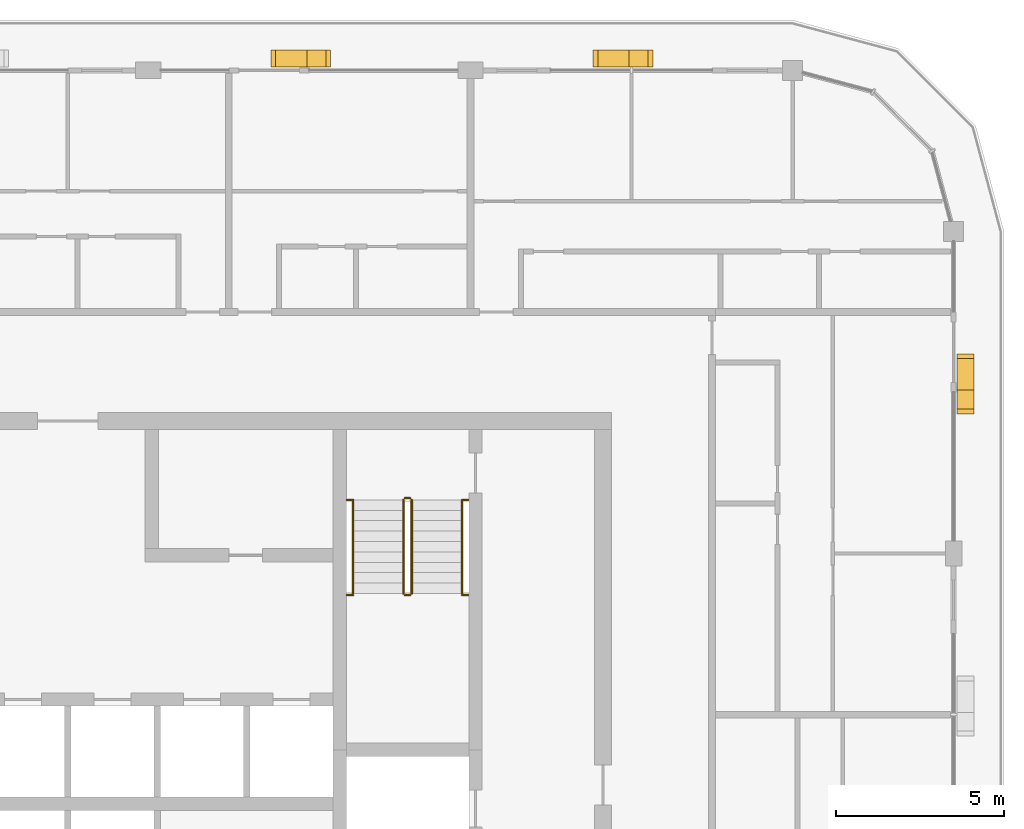
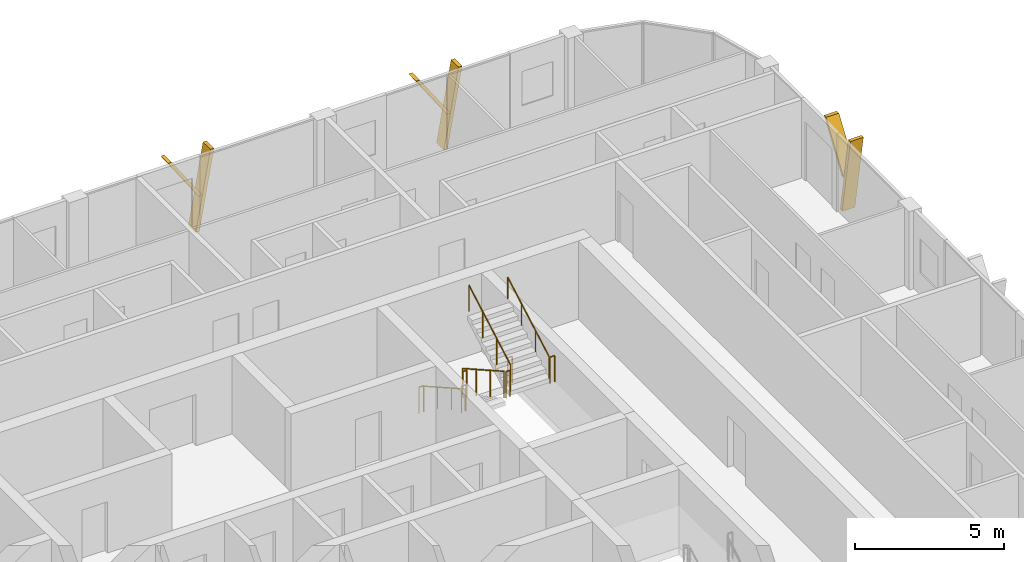
# One storey, part 21 of 21: 10 railings, 6 shading devices.
"""IFC4 building model written with IfcOpenShell, lengths in metres."""

from ifc_helpers import new_model, si_unit, direction, frame, origin, origin_2d, place, context, subcontext, project, spatial, polyline, circle, outline, extrude, material, type_object, element, save


model = new_model("IFC4")

# Units and contexts
model_context = context("Model", 3, precision=1e-05, world=origin(), true_north=direction((0.0, 1.0)))
body_context = subcontext(model_context, "Body", "Model", "MODEL_VIEW")
ifc_project = project(units=[si_unit("LENGTHUNIT", "METRE"), si_unit("AREAUNIT", "SQUARE_METRE"), si_unit("VOLUMEUNIT", "CUBIC_METRE"), si_unit("PLANEANGLEUNIT", "RADIAN"), si_unit("MASSUNIT", "GRAM", prefix="KILO")], contexts=[model_context])

# Site, building, storey
site_placement = place(None, origin())
site = spatial("IfcSite", under=ifc_project, at=site_placement, CompositionType="ELEMENT")
building_placement = place(site_placement, origin())
building = spatial("IfcBuilding", under=site, at=building_placement, Name="Madar Terraces", CompositionType="ELEMENT")
storey_placement = place(building_placement, frame((0.0, 0.0, 275.60009765625)))
storey = spatial("IfcBuildingStorey", under=building, at=storey_placement, Name="L72", CompositionType="ELEMENT", Elevation=275.60009765625)

# Shading devices
ifc_material_1 = material(Name="Aluminium, black anodised", Category="aluminium")
shading_device_type = type_object("IfcShadingDeviceType", Name="Facade fin blade 140 x 500", PredefinedType="USERDEFINED", material=ifc_material_1)
shading_device_1_placement = place(storey_placement, frame((57.949951171875, 38.330078125, 0.0), z_axis=(0.0, 0.0, 1.0), x_axis=(0.0, 1.0, 0.0)))
element("IfcShadingDevice", 1, at=shading_device_1_placement, inside=storey, type_object=shading_device_type, Name="FIN L72 E4", ObjectType="FIN", PredefinedType="USERDEFINED", context=body_context, shape_type="SweptSolid", body=[
    extrude(outline(polyline([(0.0, 0.0), (0.139892578125, 0.0), (-0.42431640625, 3.199951171875), (-0.564208984375, 3.199951171875), (0.0, 0.0)])), frame((0.0, 0.25, 0.0), z_axis=(0.0, -1.0, 0.0), x_axis=(1.0, 0.0, 0.0)), (0.0, 0.0, 1.0), 0.5),
])
shading_device_2_placement = place(storey_placement, frame((57.949951171875, 38.216064453125, 1.43994140625), z_axis=(0.0, 0.0, 1.0), x_axis=(0.0, 1.0, 0.0)))
element("IfcShadingDevice", 2, at=shading_device_2_placement, inside=storey, type_object=shading_device_type, Name="FIN L72 E4 branch", ObjectType="FIN", PredefinedType="USERDEFINED", context=body_context, shape_type="SweptSolid", body=[
    extrude(outline(polyline([(0.0, 0.0), (0.14013671875, 0.0), (1.32958984375, 1.760009765625), (1.189697265625, 1.760009765625), (0.0, 0.0)])), frame((0.0, 0.25, 0.0), z_axis=(0.0, -1.0, 0.0), x_axis=(1.0, 0.0, 0.0)), (0.0, 0.0, 1.0), 0.5),
])
shading_device_3_placement = place(storey_placement, frame((48.070068359375, 48.35009765625, 0.0), z_axis=(0.0, 0.0, 1.0), x_axis=(-1.0, 0.0, 0.0)))
element("IfcShadingDevice", 3, at=shading_device_3_placement, inside=storey, type_object=shading_device_type, Name="FIN L72 N1", ObjectType="FIN", PredefinedType="USERDEFINED", context=body_context, shape_type="SweptSolid", body=[
    extrude(outline(polyline([(0.0, 0.0), (0.14013671875, 0.0), (-0.42431640625, 3.199951171875), (-0.564208984375, 3.199951171875), (0.0, 0.0)])), frame((0.0, 0.25, 0.0), z_axis=(0.0, -1.0, 0.0), x_axis=(1.0, 0.0, 0.0)), (0.0, 0.0, 1.0), 0.5),
])
shading_device_4_placement = place(storey_placement, frame((48.183837890625, 48.35009765625, 1.43994140625), z_axis=(0.0, 0.0, 1.0), x_axis=(-1.0, 0.0, 0.0)))
element("IfcShadingDevice", 4, at=shading_device_4_placement, inside=storey, type_object=shading_device_type, Name="FIN L72 N1 branch", ObjectType="FIN", PredefinedType="USERDEFINED", context=body_context, shape_type="SweptSolid", body=[
    extrude(outline(polyline([(0.0, 0.0), (0.139892578125, 0.0), (1.32958984375, 1.760009765625), (1.189697265625, 1.760009765625), (0.0, 0.0)])), frame((0.0, 0.25, 0.0), z_axis=(0.0, -1.0, 0.0), x_axis=(1.0, 0.0, 0.0)), (0.0, 0.0, 1.0), 0.5),
])
shading_device_5_placement = place(storey_placement, frame((38.469970703125, 48.35009765625, 0.0), z_axis=(0.0, 0.0, 1.0), x_axis=(-1.0, 0.0, 0.0)))
element("IfcShadingDevice", 5, at=shading_device_5_placement, inside=storey, type_object=shading_device_type, Name="FIN L72 N2", ObjectType="FIN", PredefinedType="USERDEFINED", context=body_context, shape_type="SweptSolid", body=[
    extrude(outline(polyline([(0.0, 0.0), (0.139892578125, 0.0), (-0.42431640625, 3.199951171875), (-0.564208984375, 3.199951171875), (0.0, 0.0)])), frame((0.0, 0.25, 0.0), z_axis=(0.0, -1.0, 0.0), x_axis=(1.0, 0.0, 0.0)), (0.0, 0.0, 1.0), 0.5),
])
shading_device_6_placement = place(storey_placement, frame((38.583984375, 48.35009765625, 1.43994140625), z_axis=(0.0, 0.0, 1.0), x_axis=(-1.0, 0.0, 0.0)))
element("IfcShadingDevice", 6, at=shading_device_6_placement, inside=storey, type_object=shading_device_type, Name="FIN L72 N2 branch", ObjectType="FIN", PredefinedType="USERDEFINED", context=body_context, shape_type="SweptSolid", body=[
    extrude(outline(polyline([(0.0, 0.0), (0.14013671875, 0.0), (1.32958984375, 1.760009765625), (1.189697265625, 1.760009765625), (0.0, 0.0)])), frame((0.0, 0.25, 0.0), z_axis=(0.0, -1.0, 0.0), x_axis=(1.0, 0.0, 0.0)), (0.0, 0.0, 1.0), 0.5),
])

# Railings
ifc_material_2 = material(Name="Stainless steel railing", Category="steel")
railing_type_1 = type_object("IfcRailingType", Name="Stair guard 1100", PredefinedType="GUARDRAIL", material=ifc_material_2)
railing_1_placement = place(storey_placement, frame((41.199951171875, 35.199951171875, 0.1748046875)))
element("IfcRailing", 7, at=railing_1_placement, inside=storey, type_object=railing_type_1, Name="L72 ST2 stair guard 1", PredefinedType="GUARDRAIL", context=body_context, shape_type="SweptSolid", body=[
    extrude(circle(Radius=0.02392578125, at=origin_2d()), frame((0.0, 0.0, 1.076171875), z_axis=(0.0, -0.870801158333, 0.491635375706), x_axis=(1.0, 0.0, 0.0)), (0.0, 0.0, 1.0), 3.2041015625),
    extrude(circle(Radius=0.02099609375, at=origin_2d()), origin(), (0.0, 0.0, 1.0), 1.052001953125),
    extrude(circle(Radius=0.02099609375, at=origin_2d()), frame((0.0, -0.929931640625, 0.525146484375)), (0.0, 0.0, 1.0), 1.052001953125),
    extrude(circle(Radius=0.02099609375, at=origin_2d()), frame((0.0, -1.860107421875, 1.050048828125)), (0.0, 0.0, 1.0), 1.052001953125),
    extrude(circle(Radius=0.02099609375, at=origin_2d()), frame((0.0, -2.7900390625, 1.5751953125)), (0.0, 0.0, 1.0), 1.052001953125),
])
railing_2_placement = place(storey_placement, frame((41.25, 32.360107421875, 1.75)))
element("IfcRailing", 8, at=railing_2_placement, inside=storey, type_object=railing_type_1, Name="L72 ST2 stair guard 2", PredefinedType="GUARDRAIL", context=body_context, shape_type="SweptSolid", body=[
    extrude(circle(Radius=0.02392578125, at=origin_2d()), frame((0.0, 0.0, 1.076171875), z_axis=(1.0, 0.0, 0.0), x_axis=(0.0, 1.0, 0.0)), (0.0, 0.0, 1.0), 0.14990234375),
    extrude(circle(Radius=0.02099609375, at=origin_2d()), origin(), (0.0, 0.0, 1.0), 1.052001953125),
    extrude(circle(Radius=0.02099609375, at=origin_2d()), frame((0.14990234375, 0.0, 0.0)), (0.0, 0.0, 1.0), 1.052001953125),
])
railing_3_placement = place(storey_placement, frame((41.449951171875, 32.409912109375, 1.9248046875)))
element("IfcRailing", 9, at=railing_3_placement, inside=storey, type_object=railing_type_1, Name="L72 ST2 stair guard 3", PredefinedType="GUARDRAIL", context=body_context, shape_type="SweptSolid", body=[
    extrude(circle(Radius=0.02392578125, at=origin_2d()), frame((0.0, 0.0, 1.076171875), z_axis=(0.0, 0.870801158333, 0.491635375706), x_axis=(-1.0, 0.0, 0.0)), (0.0, 0.0, 1.0), 3.2041015625),
    extrude(circle(Radius=0.02099609375, at=origin_2d()), origin(), (0.0, 0.0, 1.0), 1.052001953125),
    extrude(circle(Radius=0.02099609375, at=origin_2d()), frame((0.0, 0.929931640625, 0.525146484375)), (0.0, 0.0, 1.0), 1.052001953125),
    extrude(circle(Radius=0.02099609375, at=origin_2d()), frame((0.0, 1.860107421875, 1.050048828125)), (0.0, 0.0, 1.0), 1.052001953125),
    extrude(circle(Radius=0.02099609375, at=origin_2d()), frame((0.0, 2.7900390625, 1.5751953125)), (0.0, 0.0, 1.0), 1.052001953125),
])
railing_4_placement = place(storey_placement, frame((41.25, 35.25, 0.0)))
element("IfcRailing", 10, at=railing_4_placement, inside=storey, type_object=railing_type_1, Name="L72 ST2 stair guard 4", PredefinedType="GUARDRAIL", context=body_context, shape_type="SweptSolid", body=[
    extrude(circle(Radius=0.02392578125, at=origin_2d()), frame((0.0, 0.0, 1.076171875), z_axis=(1.0, 0.0, 0.0), x_axis=(0.0, 1.0, 0.0)), (0.0, 0.0, 1.0), 0.14990234375),
    extrude(circle(Radius=0.02099609375, at=origin_2d()), origin(), (0.0, 0.0, 1.0), 1.052001953125),
    extrude(circle(Radius=0.02099609375, at=origin_2d()), frame((0.14990234375, 0.0, 0.0)), (0.0, 0.0, 1.0), 1.052001953125),
])
for number, where, name in (
    (11, (39.52001953125, 32.360107421875, 1.75), "L72 stair guard seat 1"),
    (12, (42.949951171875, 32.360107421875, 1.75), "L72 stair guard seat 2"),
    (13, (39.52001953125, 35.199951171875, 0.0), "L72 stair guard floor 1"),
    (14, (42.949951171875, 35.199951171875, 0.0), "L72 stair guard floor 2"),
):
    element("IfcRailing", number, at=place(storey_placement, frame(where)), inside=storey, type_object=railing_type_1, Name=name, PredefinedType="GUARDRAIL", context=body_context, shape_type="SweptSolid", body=[
        extrude(circle(Radius=0.02392578125, at=origin_2d()), frame((0.0, 0.0, 1.076171875), z_axis=(1.0, 0.0, 0.0), x_axis=(0.0, 1.0, 0.0)), (0.0, 0.0, 1.0), 0.179931640625),
        extrude(circle(Radius=0.02099609375, at=origin_2d()), origin(), (0.0, 0.0, 1.0), 1.052001953125),
        extrude(circle(Radius=0.02099609375, at=origin_2d()), frame((0.179931640625, 0.0, 0.0)), (0.0, 0.0, 1.0), 1.052001953125),
    ])
ifc_material_3 = material(Name="Stainless steel railing", Category="steel")
railing_type_2 = type_object("IfcRailingType", Name="Stair handrail 900", PredefinedType="HANDRAIL", material=ifc_material_3)
railing_5_placement = place(storey_placement, frame((39.699951171875, 35.199951171875, 0.1748046875)))
element("IfcRailing", 15, at=railing_5_placement, inside=storey, type_object=railing_type_2, Name="L72 ST2 stair handrail 1", PredefinedType="HANDRAIL", context=body_context, shape_type="SweptSolid", body=[
    extrude(circle(Radius=0.02392578125, at=origin_2d()), frame((0.0, 0.0, 0.8759765625), z_axis=(0.0, -0.870801158333, 0.491635375706), x_axis=(1.0, 0.0, 0.0)), (0.0, 0.0, 1.0), 3.2041015625),
    extrude(circle(Radius=0.02099609375, at=origin_2d()), origin(), (0.0, 0.0, 1.0), 0.851806640625),
    extrude(circle(Radius=0.02099609375, at=origin_2d()), frame((0.0, -0.929931640625, 0.525146484375)), (0.0, 0.0, 1.0), 0.851806640625),
    extrude(circle(Radius=0.02099609375, at=origin_2d()), frame((0.0, -1.860107421875, 1.050048828125)), (0.0, 0.0, 1.0), 0.851806640625),
    extrude(circle(Radius=0.02099609375, at=origin_2d()), frame((0.0, -2.7900390625, 1.5751953125)), (0.0, 0.0, 1.0), 0.851806640625),
])
railing_6_placement = place(storey_placement, frame((42.949951171875, 32.409912109375, 1.9248046875)))
element("IfcRailing", 16, at=railing_6_placement, inside=storey, type_object=railing_type_2, Name="L72 ST2 stair handrail 2", PredefinedType="HANDRAIL", context=body_context, shape_type="SweptSolid", body=[
    extrude(circle(Radius=0.02392578125, at=origin_2d()), frame((0.0, 0.0, 0.8759765625), z_axis=(0.0, 0.870801158333, 0.491635375706), x_axis=(-1.0, 0.0, 0.0)), (0.0, 0.0, 1.0), 3.2041015625),
    extrude(circle(Radius=0.02099609375, at=origin_2d()), origin(), (0.0, 0.0, 1.0), 0.851806640625),
    extrude(circle(Radius=0.02099609375, at=origin_2d()), frame((0.0, 0.929931640625, 0.525146484375)), (0.0, 0.0, 1.0), 0.851806640625),
    extrude(circle(Radius=0.02099609375, at=origin_2d()), frame((0.0, 1.860107421875, 1.050048828125)), (0.0, 0.0, 1.0), 0.851806640625),
    extrude(circle(Radius=0.02099609375, at=origin_2d()), frame((0.0, 2.7900390625, 1.5751953125)), (0.0, 0.0, 1.0), 0.851806640625),
])

save(model, "model.ifc")
